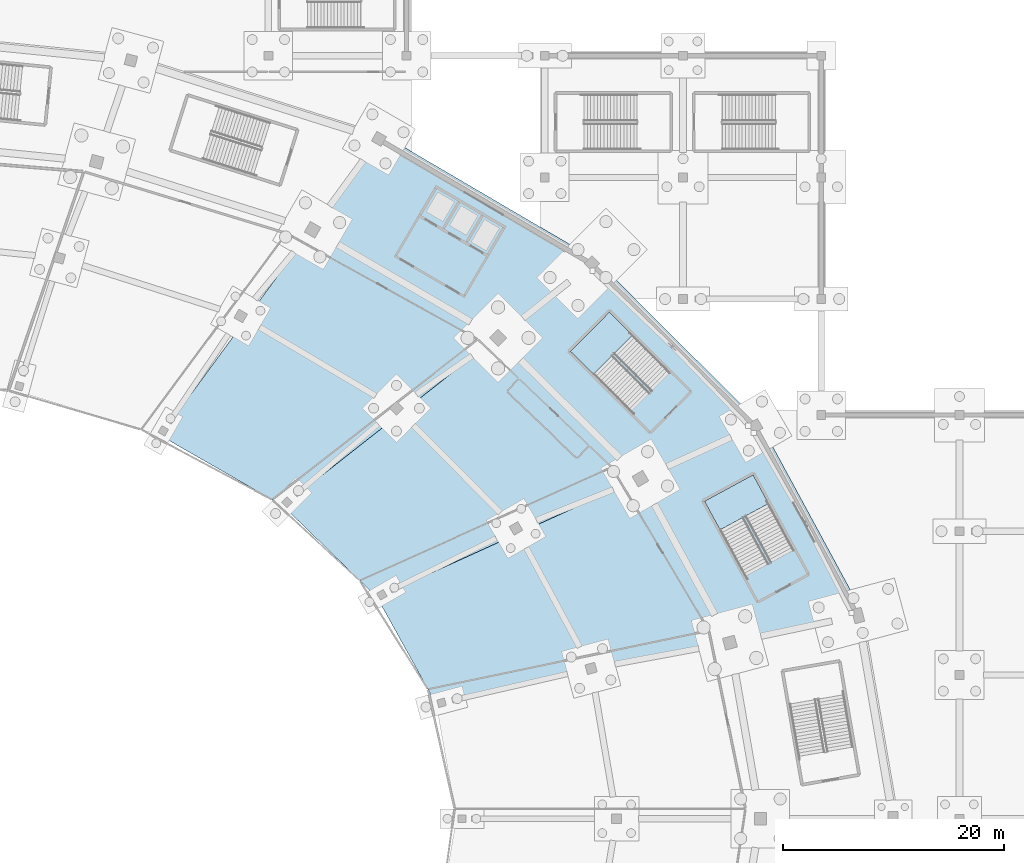
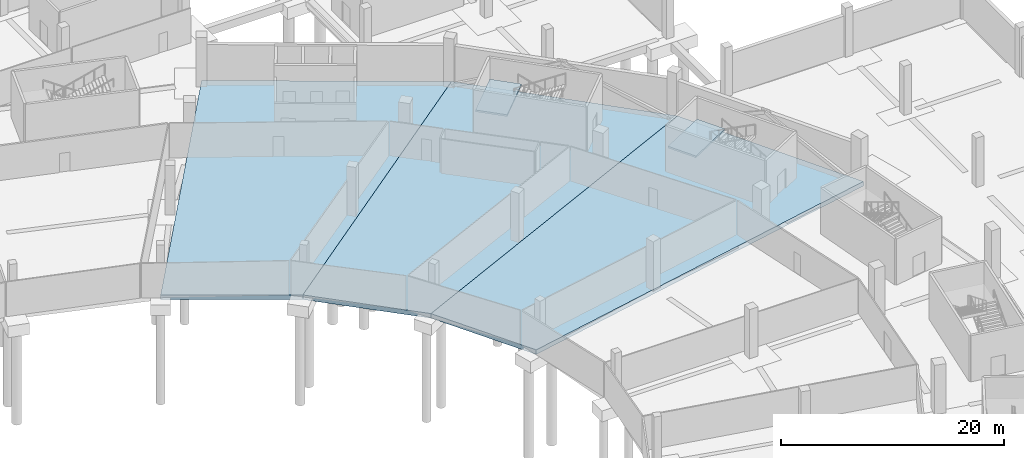
# One storey, part 22 of 74: 5 slabs, 2 elements without a shape of their own.
"""IFC4 building model written with IfcOpenShell, lengths in metres."""

import ifcopenshell
import ifcopenshell.guid

model = None  # the IFC model being written
_history = None  # IfcOwnerHistory: only IFC2X3 demands one
_inside = {}  # id of a spatial element -> (the spatial element, [elements in it])
_under = {}  # id of a project, library or spatial element -> (it, [spatial elements below it])
_declared = {}  # id of a project -> (the project, [libraries it declares])
_typed = {}  # id of a type object -> (the type object, [elements of that type])
_made_of = {}  # id of a material, layer set ... -> (it, [elements and type objects made of it])


def new_model(schema):
    """Start an empty IFC model of exactly this schema.

    Asked for "IFC4X3", IfcOpenShell would pick the latest addendum, in which some entities
    have other attributes; the version numbers below select the first issue.
    IFC2X3 requires an IfcOwnerHistory on every rooted entity: one is made here for all.
    """
    global model, _history
    if schema == "IFC4X3":
        model = ifcopenshell.file(schema_version=(4, 3, 0, 0))
    else:
        model = ifcopenshell.file(schema=schema)
    _inside.clear()
    _under.clear()
    _declared.clear()
    _typed.clear()
    _made_of.clear()
    _history = None
    if model.schema == "IFC2X3":
        org = make("IfcOrganization", Name="unknown")
        user = make(
            "IfcPersonAndOrganization",
            ThePerson=make("IfcPerson", FamilyName="unknown"),
            TheOrganization=org,
        )
        app = make(
            "IfcApplication",
            ApplicationDeveloper=org,
            Version="unknown",
            ApplicationFullName="unknown",
            ApplicationIdentifier="unknown",
        )
        _history = make(
            "IfcOwnerHistory",
            OwningUser=user,
            OwningApplication=app,
            ChangeAction="ADDED",
            CreationDate=0,
        )
    return model


def make(cls, **values):
    """One entity of the class cls with the attributes given. An attribute that is None is left unset."""
    return model.create_entity(
        cls, **{name: value for name, value in values.items() if value is not None}
    )


def rooted(cls, **values):
    """An entity with a GlobalId (a new one), such as an element, a storey or a relation."""
    return make(cls, GlobalId=ifcopenshell.guid.new(), OwnerHistory=_history, **values)


def si_unit(unit_type, name, prefix=None):
    """IfcSIUnit, for example si_unit("LENGTHUNIT", "METRE", prefix="MILLI")."""
    return make("IfcSIUnit", UnitType=unit_type, Prefix=prefix, Name=name)


def assignment(units):
    """IfcUnitAssignment: the units of a project."""
    return None if units is None else make("IfcUnitAssignment", Units=units)


def point(xyz):
    """IfcCartesianPoint."""
    return None if xyz is None else make("IfcCartesianPoint", Coordinates=xyz)


def direction(xyz):
    """IfcDirection."""
    return None if xyz is None else make("IfcDirection", DirectionRatios=xyz)


def frame(location, z_axis=None, x_axis=None):
    """IfcAxis2Placement3D, a coordinate frame: its origin and axes. An axis left out is left unset."""
    return make(
        "IfcAxis2Placement3D",
        Location=point(location),
        Axis=direction(z_axis),
        RefDirection=direction(x_axis),
    )


def origin():
    """The frame at (0, 0, 0) with its axes left unset."""
    return frame((0.0, 0.0, 0.0))


def place(relative_to, where):
    """IfcLocalPlacement: puts the frame where relative to a parent placement (None: the world)."""
    return make(
        "IfcLocalPlacement", PlacementRelTo=relative_to, RelativePlacement=where
    )


def context(
    kind, dimensions, precision=None, world=None, true_north=None, identifier=None
):
    """IfcGeometricRepresentationContext, for example the 3D "Model" context."""
    return make(
        "IfcGeometricRepresentationContext",
        ContextIdentifier=identifier,
        ContextType=kind,
        CoordinateSpaceDimension=dimensions,
        Precision=precision,
        WorldCoordinateSystem=world,
        TrueNorth=true_north,
    )


def subcontext(parent, identifier, kind, view, scale=None):
    """IfcGeometricRepresentationSubContext, for example "Body" below "Model"."""
    return make(
        "IfcGeometricRepresentationSubContext",
        ContextIdentifier=identifier,
        ContextType=kind,
        ParentContext=parent,
        TargetScale=scale,
        TargetView=view,
    )


def project(units=None, contexts=None):
    """IfcProject with its units and contexts."""
    return rooted(
        "IfcProject",
        Name="project",
        RepresentationContexts=contexts,
        UnitsInContext=assignment(units),
    )


def spatial(cls, under=None, at=None, **own):
    """A site, building, storey or space (cls), placed at a placement, below another one or the project."""
    s = rooted(cls, ObjectPlacement=at, **own)
    if under is not None:
        _under.setdefault(under.id(), (under, []))[1].append(s)
    return s


def polyline(points):
    """IfcPolyline through the points."""
    return make("IfcPolyline", Points=[point(p) for p in points])


def outline(outer, holes=None, kind="AREA"):
    """IfcArbitraryClosedProfileDef: a profile drawn as a closed curve; with holes, ...WithVoids."""
    if holes is None:
        return make("IfcArbitraryClosedProfileDef", ProfileType=kind, OuterCurve=outer)
    return make(
        "IfcArbitraryProfileDefWithVoids",
        ProfileType=kind,
        OuterCurve=outer,
        InnerCurves=holes,
    )


def extrude(swept, where, along, depth):
    """IfcExtrudedAreaSolid: the profile swept, set in the frame where, extruded along a direction by depth."""
    return make(
        "IfcExtrudedAreaSolid",
        SweptArea=swept,
        Position=where,
        ExtrudedDirection=direction(along),
        Depth=depth,
    )


def shape(context_of_items, identifier, shape_type, items):
    """IfcShapeRepresentation: the items that make up one representation, for example the "Body"."""
    return make(
        "IfcShapeRepresentation",
        ContextOfItems=context_of_items,
        RepresentationIdentifier=identifier,
        RepresentationType=shape_type,
        Items=items,
    )


def material(Name=None, Category=None):
    """IfcMaterial."""
    return make("IfcMaterial", Name=Name, Category=Category)


def layer(
    of_material, thickness, ventilated=None, Name=None, Category=None, Priority=None
):
    """IfcMaterialLayer: one layer of a wall or slab, of a material (None: an air gap)."""
    return make(
        "IfcMaterialLayer",
        Material=of_material,
        LayerThickness=thickness,
        IsVentilated=ventilated,
        Name=Name,
        Category=Category,
        Priority=Priority,
    )


def layer_set(layers, Name=None):
    """IfcMaterialLayerSet."""
    return make("IfcMaterialLayerSet", MaterialLayers=layers, LayerSetName=Name)


def made_of(thing, what):
    """Note that an element or type object is made of a material, layer set ...; save() writes the relation."""
    if what is not None:
        _made_of.setdefault(what.id(), (what, []))[1].append(thing)
    return thing


def type_object(cls, material=None, **own):
    """A type object (cls), such as IfcWallType, which elements share."""
    return made_of(rooted(cls, **own), material)


def element(
    cls,
    number,
    at=None,
    inside=None,
    cuts=None,
    type_object=None,
    material=None,
    context=None,
    identifier="Body",
    shape_type=None,
    held_by="IfcProductDefinitionShape",
    body=None,
    shapes=None,
    **own,
):
    """One element of the class cls, such as IfcWall. Its Tag is "e" and its number.

    at: its placement. inside: the storey or other place that contains it. cuts: it is an
    opening in that element (IfcRelVoidsElement). A single representation is given by context,
    identifier, shape_type and body (its items); several are given by shapes. held_by: the class
    of the entity that holds the representations. save() writes the other relations.
    """
    e = rooted(cls, Tag="e%d" % number, ObjectPlacement=at, **own)
    if body is not None:
        shapes = [shape(context, identifier, shape_type, body)]
    if shapes is not None:
        e.Representation = make(held_by, Representations=shapes)
    if inside is not None:
        _inside.setdefault(inside.id(), (inside, []))[1].append(e)
    if cuts is not None:
        rooted(
            "IfcRelVoidsElement", RelatingBuildingElement=cuts, RelatedOpeningElement=e
        )
    if type_object is not None:
        _typed.setdefault(type_object.id(), (type_object, []))[1].append(e)
    return made_of(e, material)


def aggregate(whole, parts):
    """IfcRelAggregates: a whole, such as a stair, and the parts it consists of."""
    return rooted("IfcRelAggregates", RelatingObject=whole, RelatedObjects=parts)


def save(model, path):
    """Write the relations noted so far, then the file.

    IfcRelAggregates (storeys below a building ...), IfcRelContainedInSpatialStructure (elements
    in a storey), IfcRelDefinesByType, IfcRelAssociatesMaterial and IfcRelDeclares: one each for
    every whole, place, type object, material and project.
    """
    for whole, parts in _under.values():
        aggregate(whole, parts)
    for where, things in _inside.values():
        rooted(
            "IfcRelContainedInSpatialStructure",
            RelatedElements=things,
            RelatingStructure=where,
        )
    for kind, things in _typed.values():
        rooted("IfcRelDefinesByType", RelatedObjects=things, RelatingType=kind)
    for what, things in _made_of.values():
        rooted("IfcRelAssociatesMaterial", RelatedObjects=things, RelatingMaterial=what)
    for by, libraries in _declared.values():
        rooted("IfcRelDeclares", RelatingContext=by, RelatedDefinitions=libraries)
    model.write(path)


model = new_model("IFC4")

# Units and contexts
model_context = context("Model", 3, precision=1e-05, world=origin(), true_north=direction((0.0, 1.0)))
body_context = subcontext(model_context, "Body", "Model", "MODEL_VIEW")
ifc_project = project(units=[si_unit("LENGTHUNIT", "METRE"), si_unit("AREAUNIT", "SQUARE_METRE"), si_unit("VOLUMEUNIT", "CUBIC_METRE"), si_unit("PLANEANGLEUNIT", "RADIAN"), si_unit("MASSUNIT", "GRAM", prefix="KILO")], contexts=[model_context])

# Site, building, storey
site_placement = place(None, origin())
site = spatial("IfcSite", under=ifc_project, at=site_placement, CompositionType="ELEMENT")
building_placement = place(site_placement, origin())
building = spatial("IfcBuilding", under=site, at=building_placement, Name="Zlatoyarsky Gate Stadium", CompositionType="ELEMENT")
storey_placement = place(building_placement, frame((0.0, 0.0, -5.39990234375)))
storey = spatial("IfcBuildingStorey", under=building, at=storey_placement, Name="B1", CompositionType="ELEMENT", Elevation=-5.39990234375)

# Slabs
ifc_material_1 = material(Name="Concrete C35/45", Category="concrete")
ifc_layer_1 = layer(ifc_material_1, 0.5)
ifc_layer_set_1 = layer_set([ifc_layer_1], Name="Concrete C35/45")
slab_type_1 = type_object("IfcSlabType", Name="CONCRETE BASE SLAB 500", PredefinedType="BASESLAB", material=ifc_layer_set_1)
slab_1_placement = place(storey_placement, frame((0.0, 0.0, -0.5)))
element("IfcSlab", 1, at=slab_1_placement, inside=storey, type_object=slab_type_1, Name="B1 bowl sector 01 slab", PredefinedType="BASESLAB", context=body_context, shape_type="SweptSolid", body=[
    extrude(outline(polyline([(157.33251953125, 100.0), (191.973388671875, 115.75), (201.314208984375, 98.505615234375), (162.677001953125, 90.352783203125), (157.33251953125, 100.0)])), origin(), (0.0, 0.0, 1.0), 0.5),
])
slab_2_placement = place(storey_placement, frame((0.0, 0.0, -0.5)))
element("IfcSlab", 2, at=slab_2_placement, inside=storey, type_object=slab_type_1, Name="B1 bowl sector 02 slab", PredefinedType="BASESLAB", context=body_context, shape_type="SweptSolid", body=[
    extrude(outline(polyline([(148.830078125, 108.2841796875), (177.114501953125, 130.55810546875), (191.973388671875, 115.75), (157.33251953125, 100.0), (148.830078125, 108.2841796875)])), origin(), (0.0, 0.0, 1.0), 0.5),
])
slab_3_placement = place(storey_placement, frame((0.0, 0.0, -0.5)))
element("IfcSlab", 3, at=slab_3_placement, inside=storey, type_object=slab_type_1, Name="B1 bowl sector 03 slab", PredefinedType="BASESLAB", context=body_context, shape_type="SweptSolid", body=[
    extrude(outline(polyline([(137.75, 114.64111328125), (157.75, 141.9208984375), (177.114501953125, 130.55810546875), (148.830078125, 108.2841796875), (137.75, 114.64111328125)])), origin(), (0.0, 0.0, 1.0), 0.5),
])

# Stair, slab
ifc_material_2 = material(Name="Concrete C40/50", Category="concrete")
stair_type = type_object("IfcStairType", Name="CONCRETE DOGLEG EXIT STAIR H5400", PredefinedType="TWO_STRAIGHT_RUN_STAIR", material=ifc_material_2)
stair_1_placement = place(storey_placement, origin())
stair_1 = element("IfcStair", 4, at=stair_1_placement, inside=storey, type_object=stair_type, Name="B1 Exit Stair ST-02", PredefinedType="TWO_STRAIGHT_RUN_STAIR")
ifc_layer_2 = layer(ifc_material_2, 0.199951171875)
ifc_layer_set_2 = layer_set([ifc_layer_2], Name="Concrete C40/50")
slab_type_2 = type_object("IfcSlabType", Name="CONCRETE STAIR LANDING SLAB 200", PredefinedType="LANDING", material=ifc_layer_set_2)
slab_4_placement = place(storey_placement, frame((0.0, 0.0, 2.5)))
slab_4 = element("IfcSlab", 5, at=slab_4_placement, type_object=slab_type_2, Name="ST-DG54 landing 1", PredefinedType="LANDING", context=body_context, shape_type="SweptSolid", body=[
    extrude(outline(polyline([(180.425537109375, 123.732666015625), (178.334228515625, 125.8134765625), (174.8076171875, 122.26904296875), (176.89892578125, 120.188232421875), (180.425537109375, 123.732666015625)])), origin(), (0.0, 0.0, 1.0), 0.199951171875),
])
aggregate(stair_1, [slab_4])

stair_2_placement = place(storey_placement, origin())
stair_2 = element("IfcStair", 6, at=stair_2_placement, inside=storey, type_object=stair_type, Name="B1 Exit Stair ST-13", PredefinedType="TWO_STRAIGHT_RUN_STAIR")
slab_5_placement = place(storey_placement, frame((0.0, 0.0, 2.5)))
slab_5 = element("IfcSlab", 7, at=slab_5_placement, type_object=slab_type_2, Name="ST-DG54 landing 1", PredefinedType="LANDING", context=body_context, shape_type="SweptSolid", body=[
    extrude(outline(polyline([(192.741455078125, 108.50634765625), (191.33447265625, 111.09912109375), (186.939697265625, 108.71484375), (188.346435546875, 106.121826171875), (192.741455078125, 108.50634765625)])), origin(), (0.0, 0.0, 1.0), 0.199951171875),
])
aggregate(stair_2, [slab_5])

save(model, "model.ifc")
